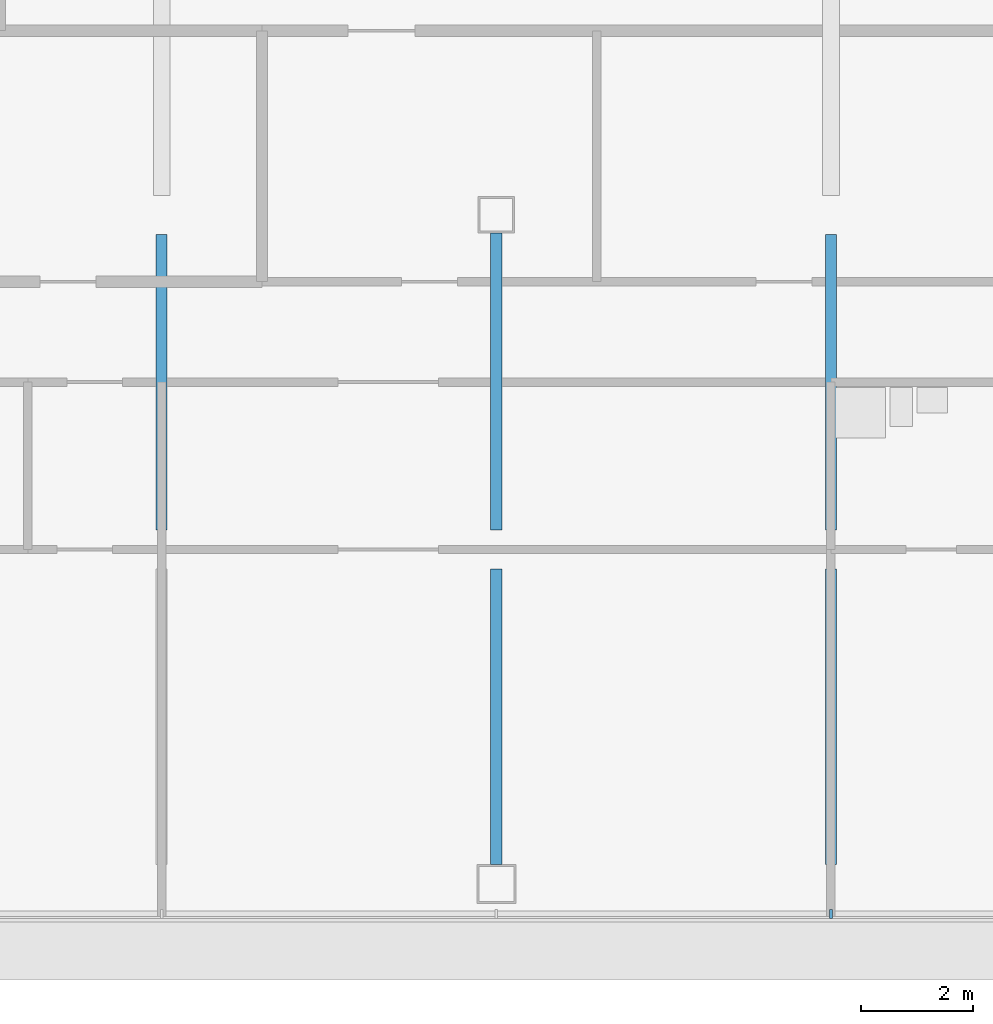
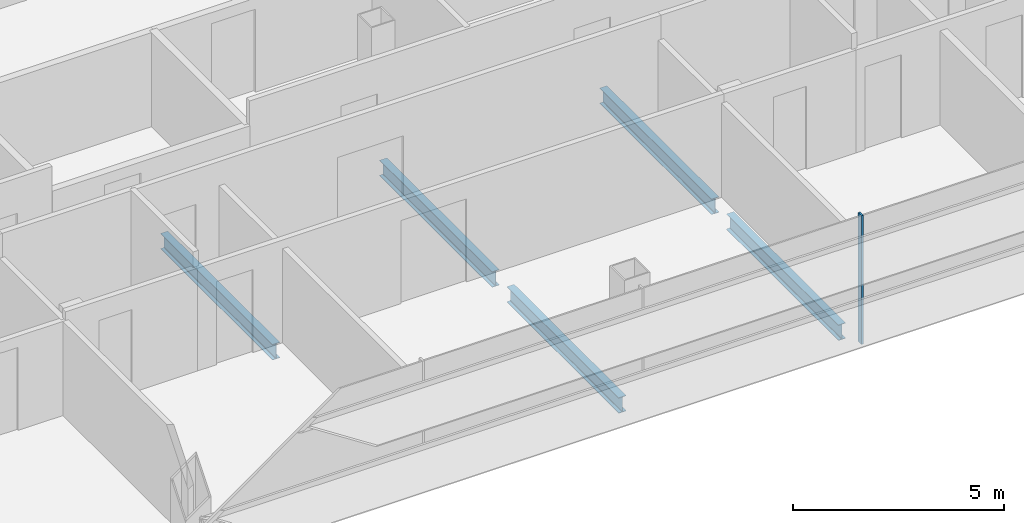
# One storey, part 3 of 27: 5 beams, 1 member, 1 element without a shape of its own.
"""IFC4 building model written with IfcOpenShell, lengths in metres."""

from ifc_helpers import new_model, si_unit, direction, frame, origin, origin_2d, place, context, subcontext, project, spatial, rectangle, i_section, extrude, material, material_profile, profile_set, type_object, element, aggregate, save


model = new_model("IFC4")

# Units and contexts
model_context = context("Model", 3, precision=1e-05, world=origin(), true_north=direction((0.0, 1.0)))
body_context = subcontext(model_context, "Body", "Model", "MODEL_VIEW")
ifc_project = project(units=[si_unit("LENGTHUNIT", "METRE"), si_unit("AREAUNIT", "SQUARE_METRE"), si_unit("VOLUMEUNIT", "CUBIC_METRE"), si_unit("PLANEANGLEUNIT", "RADIAN"), si_unit("MASSUNIT", "GRAM", prefix="KILO")], contexts=[model_context])

# Site, building, storey
site_placement = place(None, origin())
site = spatial("IfcSite", under=ifc_project, at=site_placement, CompositionType="ELEMENT")
building_placement = place(site_placement, origin())
building = spatial("IfcBuilding", under=site, at=building_placement, Name="Sorahane Residences", CompositionType="ELEMENT")
storey_placement = place(building_placement, frame((0.0, 0.0, 192.0)))
storey = spatial("IfcBuildingStorey", under=building, at=storey_placement, Name="L44", CompositionType="ELEMENT", Elevation=192.0)

# Curtain wall, member
ifc_material_1 = material(Name="Dark low-e glass and black anodised aluminium", Category="aluminium")
curtain_wall_type = type_object("IfcCurtainWallType", Name="Curtain wall CW-1 Typical unitised wall", PredefinedType="NOTDEFINED", material=ifc_material_1)
curtain_wall_placement = place(storey_placement, origin())
curtain_wall = element("IfcCurtainWall", 1, at=curtain_wall_placement, inside=storey, type_object=curtain_wall_type, Name="CW-1 curtain wall L44 S1", PredefinedType="NOTDEFINED")
ifc_material_2 = material(Name="Black anodised aluminium", Category="aluminium")
ifc_material_profile_1 = material_profile(ifc_material_2, rectangle(XDim=0.159912109375, YDim=0.050048828125, at=origin_2d()), Name="Curtain wall mullion CW-1 black anodised aluminium 50x160")
ifc_profile_set_1 = profile_set([ifc_material_profile_1], Name="Black anodised aluminium")
member_type = type_object("IfcMemberType", Name="Curtain wall mullion CW-1 black anodised aluminium 50x160", PredefinedType="MULLION", material=ifc_profile_set_1)
member_placement = place(storey_placement, frame((18.0, -0.5400390625, -0.300048828125), z_axis=(0.0, 0.0, 1.0), x_axis=(0.0, -1.0, 0.0)))
member = element("IfcMember", 2, at=member_placement, type_object=member_type, Name="CW-1 mullion L44 S1.5", PredefinedType="MULLION", context=body_context, shape_type="SweptSolid", body=[
    extrude(rectangle(XDim=0.159912109375, YDim=0.050048828125, at=origin_2d()), origin(), (0.0, 0.0, 1.0), 3.719970703125),
])
aggregate(curtain_wall, [member])

# Beams
ifc_material_3 = material(Name="Steel Q355B", Category="steel")
ifc_material_profile_2 = material_profile(ifc_material_3, i_section(OverallWidth=0.199951171875, OverallDepth=0.449951171875, WebThickness=0.009033203125, FlangeThickness=0.013916015625, FilletRadius=0.02001953125, at=origin_2d()), Name="HN 450x200x9x14")
ifc_profile_set_2 = profile_set([ifc_material_profile_2], Name="Steel Q355B")
beam_type = type_object("IfcBeamType", Name="Steel floor beam HN 450x200x9x14 Q355B", PredefinedType="BEAM", material=ifc_profile_set_2)
for number, where, z_axis, x_axis, name in (
    (3, (6.0, 6.35009765625, -0.52490234375), (0.0, 1.0, 0.0), (-1.0, 0.0, 0.0), "Beam L44 007"),
    (4, (12.0, 0.35009765625, -0.52490234375), (0.0, 1.0, 0.0), (-1.0, 0.0, 0.0), "Beam L44 013"),
):
    element("IfcBeam", number, at=place(storey_placement, frame(where, z_axis=z_axis, x_axis=x_axis)), inside=storey, type_object=beam_type, Name=name, PredefinedType="BEAM", context=body_context, shape_type="SweptSolid", body=[
        extrude(i_section(OverallWidth=0.199951171875, OverallDepth=0.449951171875, WebThickness=0.009033203125, FlangeThickness=0.013916015625, FilletRadius=0.02001953125, at=origin_2d()), origin(), (0.0, 0.0, 1.0), 5.2998046875),
    ])
beam_placement = place(storey_placement, frame((12.0, 6.35009765625, -0.52490234375), z_axis=(0.0, 1.0, 0.0), x_axis=(-1.0, 0.0, 0.0)))
element("IfcBeam", 5, at=beam_placement, inside=storey, type_object=beam_type, Name="Beam L44 014", PredefinedType="BEAM", context=body_context, shape_type="SweptSolid", body=[
    extrude(i_section(OverallWidth=0.199951171875, OverallDepth=0.449951171875, WebThickness=0.009033203125, FlangeThickness=0.013916015625, FilletRadius=0.02001953125, at=origin_2d()), origin(), (0.0, 0.0, 1.0), 5.324951171875),
])
for number, where, z_axis, x_axis, name in (
    (6, (18.0, 0.35009765625, -0.52490234375), (0.0, 1.0, 0.0), (-1.0, 0.0, 0.0), "Beam L44 016"),
    (7, (18.0, 6.35009765625, -0.52490234375), (0.0, 1.0, 0.0), (-1.0, 0.0, 0.0), "Beam L44 017"),
):
    element("IfcBeam", number, at=place(storey_placement, frame(where, z_axis=z_axis, x_axis=x_axis)), inside=storey, type_object=beam_type, Name=name, PredefinedType="BEAM", context=body_context, shape_type="SweptSolid", body=[
        extrude(i_section(OverallWidth=0.199951171875, OverallDepth=0.449951171875, WebThickness=0.009033203125, FlangeThickness=0.013916015625, FilletRadius=0.02001953125, at=origin_2d()), origin(), (0.0, 0.0, 1.0), 5.2998046875),
    ])

save(model, "model.ifc")
